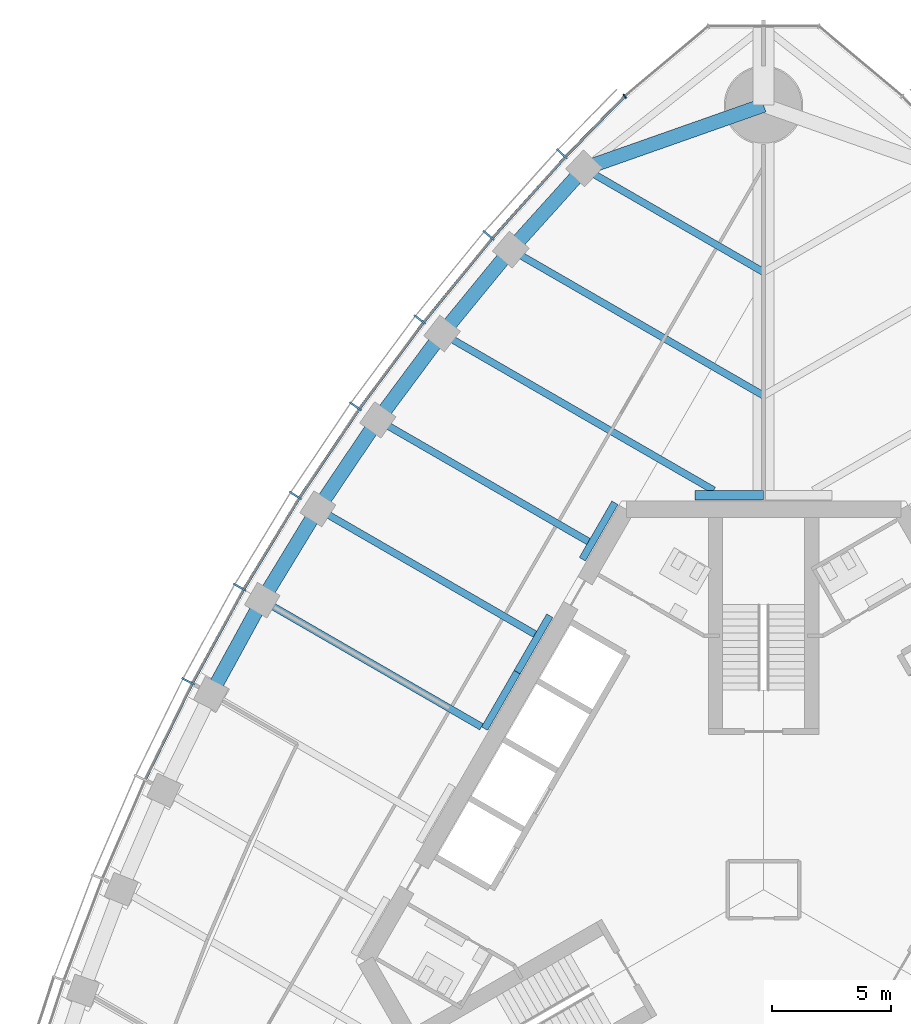
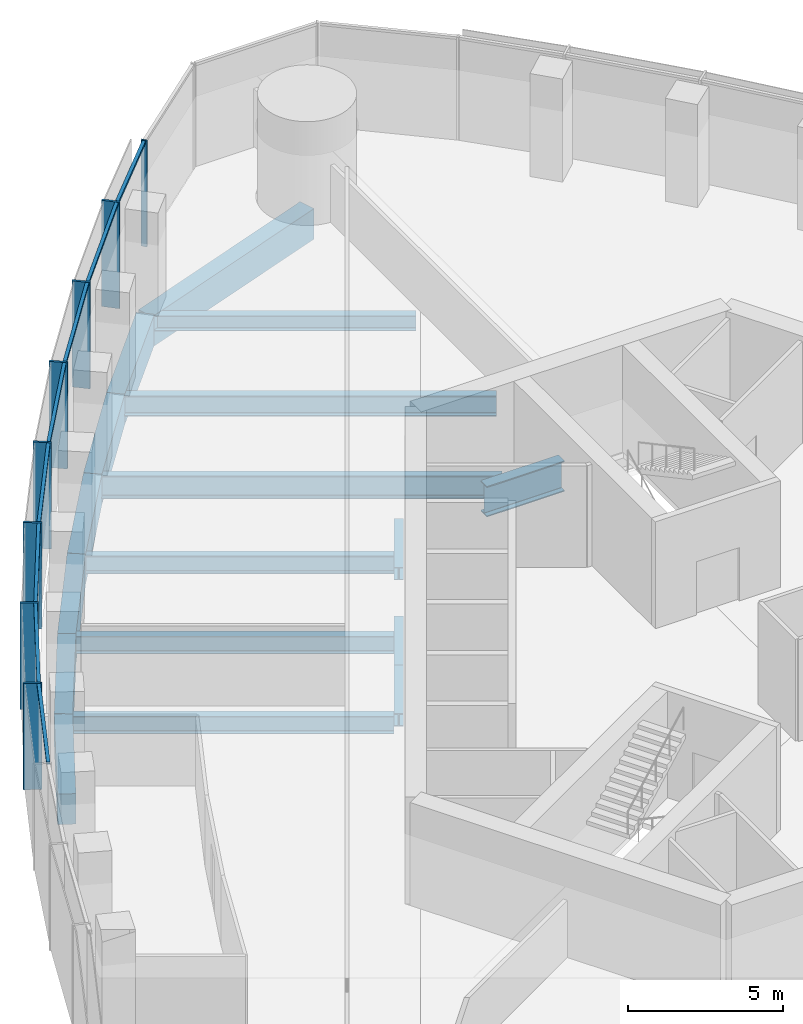
# One storey, part 5 of 19: 17 beams, 16 members, 2 elements without a shape of their own.
"""IFC4 building model written with IfcOpenShell, lengths in metres."""

from ifc_helpers import new_model, si_unit, direction, frame, origin, origin_2d, place, context, subcontext, project, spatial, rectangle, i_section, extrude, material, material_profile, profile_set, type_object, element, aggregate, save


model = new_model("IFC4")

# Units and contexts
model_context = context("Model", 3, precision=1e-05, world=origin(), true_north=direction((0.0, 1.0)))
body_context = subcontext(model_context, "Body", "Model", "MODEL_VIEW")
ifc_project = project(units=[si_unit("LENGTHUNIT", "METRE"), si_unit("AREAUNIT", "SQUARE_METRE"), si_unit("VOLUMEUNIT", "CUBIC_METRE"), si_unit("PLANEANGLEUNIT", "RADIAN"), si_unit("MASSUNIT", "GRAM", prefix="KILO")], contexts=[model_context])

# Site, building, storey
site_placement = place(None, origin())
site = spatial("IfcSite", under=ifc_project, at=site_placement, CompositionType="ELEMENT")
building_placement = place(site_placement, origin())
building = spatial("IfcBuilding", under=site, at=building_placement, Name="Trefoil Bronze Tower", CompositionType="ELEMENT")
storey_placement = place(building_placement, frame((0.0, 0.0, 223.300048828125)))
storey = spatial("IfcBuildingStorey", under=building, at=storey_placement, Name="L51", CompositionType="ELEMENT", Elevation=223.300048828125)

# Curtain wall, members
ifc_material_1 = material(Name="Tinted solar-control glass", Category="glass")
curtain_wall_type_1 = type_object("IfcCurtainWallType", Name="Bronze office curtain wall", PredefinedType="USERDEFINED", material=ifc_material_1)
curtain_wall_1_placement = place(storey_placement, origin())
curtain_wall_1 = element("IfcCurtainWall", 1, at=curtain_wall_1_placement, inside=storey, type_object=curtain_wall_type_1, Name="CW-A L51 F3", ObjectType="CURTAIN WALL", PredefinedType="USERDEFINED")
ifc_material_2 = material(Name="Bronze-finish aluminium", Category="aluminium")
ifc_material_profile_1 = material_profile(ifc_material_2, rectangle(XDim=0.60009765625, YDim=0.080078125, at=origin_2d()), Name="CW-A mullion")
ifc_profile_set_1 = profile_set([ifc_material_profile_1], Name="Bronze-finish aluminium")
member_type_1 = type_object("IfcMemberType", Name="Bronze office curtain wall mullion", PredefinedType="MULLION", material=ifc_profile_set_1)
member_1_placement = place(storey_placement, frame((-8.482177734375, 30.95654296875, 0.0), z_axis=(0.0, 0.0, 1.0), x_axis=(0.729859580661, -0.683597098091, 0.0)))
member_1 = element("IfcMember", 2, at=member_1_placement, type_object=member_type_1, Name="CW-A L51 F3 mullion 2", PredefinedType="MULLION", context=body_context, shape_type="SweptSolid", body=[
    extrude(rectangle(XDim=0.60009765625, YDim=0.080078125, at=origin_2d()), origin(), (0.0, 0.0, 1.0), 4.179931640625),
])
member_2_placement = place(storey_placement, frame((-11.564697265625, 27.525146484375, 0.0), z_axis=(0.0, 0.0, 1.0), x_axis=(0.75935470958, -0.650676897576, 0.0)))
member_2 = element("IfcMember", 3, at=member_2_placement, type_object=member_type_1, Name="CW-A L51 F3 mullion 3", PredefinedType="MULLION", context=body_context, shape_type="SweptSolid", body=[
    extrude(rectangle(XDim=0.60009765625, YDim=0.080078125, at=origin_2d()), origin(), (0.0, 0.0, 1.0), 4.179931640625),
])
member_3_placement = place(storey_placement, frame((-14.45849609375, 23.98388671875, 0.0), z_axis=(0.0, 0.0, 1.0), x_axis=(0.788821461078, -0.614622406476, 0.0)))
member_3 = element("IfcMember", 4, at=member_3_placement, type_object=member_type_1, Name="CW-A L51 F3 mullion 4", PredefinedType="MULLION", context=body_context, shape_type="SweptSolid", body=[
    extrude(rectangle(XDim=0.60009765625, YDim=0.080078125, at=origin_2d()), origin(), (0.0, 0.0, 1.0), 4.179931640625),
])
member_4_placement = place(storey_placement, frame((-17.167236328125, 20.335693359375, 0.0), z_axis=(0.0, 0.0, 1.0), x_axis=(0.81640398396, -0.577481198806, 0.0)))
member_4 = element("IfcMember", 5, at=member_4_placement, type_object=member_type_1, Name="CW-A L51 F3 mullion 5", PredefinedType="MULLION", context=body_context, shape_type="SweptSolid", body=[
    extrude(rectangle(XDim=0.60009765625, YDim=0.080078125, at=origin_2d()), origin(), (0.0, 0.0, 1.0), 4.179931640625),
])
member_5_placement = place(storey_placement, frame((-19.694091796875, 16.58251953125, 0.0), z_axis=(0.0, 0.0, 1.0), x_axis=(0.842132664593, -0.539270410114, 0.0)))
member_5 = element("IfcMember", 6, at=member_5_placement, type_object=member_type_1, Name="CW-A L51 F3 mullion 6", PredefinedType="MULLION", context=body_context, shape_type="SweptSolid", body=[
    extrude(rectangle(XDim=0.60009765625, YDim=0.080078125, at=origin_2d()), origin(), (0.0, 0.0, 1.0), 4.179931640625),
])
member_6_placement = place(storey_placement, frame((-22.041015625, 12.725341796875, 0.0), z_axis=(0.0, 0.0, 1.0), x_axis=(0.866025403784, -0.5, 0.0)))
member_6 = element("IfcMember", 7, at=member_6_placement, type_object=member_type_1, Name="CW-A L51 F3 mullion 7", PredefinedType="MULLION", context=body_context, shape_type="SweptSolid", body=[
    extrude(rectangle(XDim=0.60009765625, YDim=0.080078125, at=origin_2d()), origin(), (0.0, 0.0, 1.0), 4.179931640625),
])
member_7_placement = place(storey_placement, frame((-24.2080078125, 8.764404296875, 0.0), z_axis=(0.0, 0.0, 1.0), x_axis=(0.888088206965, -0.459673075837, 0.0)))
member_7 = element("IfcMember", 8, at=member_7_placement, type_object=member_type_1, Name="CW-A L51 F3 mullion 8", PredefinedType="MULLION", context=body_context, shape_type="SweptSolid", body=[
    extrude(rectangle(XDim=0.60009765625, YDim=0.080078125, at=origin_2d()), origin(), (0.0, 0.0, 1.0), 4.179931640625),
])
ifc_material_3 = material(Name="Bronze-finish aluminium", Category="aluminium")
ifc_material_profile_2 = material_profile(ifc_material_3, rectangle(XDim=0.1201171875, YDim=0.10009765625, at=origin_2d()), Name="CW-A transom")
ifc_profile_set_2 = profile_set([ifc_material_profile_2], Name="Bronze-finish aluminium")
member_type_2 = type_object("IfcMemberType", Name="Bronze office curtain wall transom", PredefinedType="USERDEFINED", material=ifc_profile_set_2)
member_8_placement = place(storey_placement, frame((-5.873046875, 33.342529296875, 4.1298828125), z_axis=(-0.698646935368, -0.715466602785, 0.0), x_axis=(0.715466602785, -0.698646935368, 0.0)))
member_8 = element("IfcMember", 9, at=member_8_placement, type_object=member_type_2, Name="CW-A L51 F3 transom 1", ObjectType="TRANSOM", PredefinedType="USERDEFINED", context=body_context, shape_type="SweptSolid", body=[
    extrude(rectangle(XDim=0.1201171875, YDim=0.10009765625, at=origin_2d()), origin(), (0.0, 0.0, 1.0), 3.483642578125),
])
member_9_placement = place(storey_placement, frame((-8.364501953125, 30.78857421875, 4.1298828125), z_axis=(-0.66825109551, -0.743935799213, 0.0), x_axis=(0.743935799213, -0.66825109551, 0.0)))
member_9 = element("IfcMember", 10, at=member_9_placement, type_object=member_type_2, Name="CW-A L51 F3 transom 2", ObjectType="TRANSOM", PredefinedType="USERDEFINED", context=body_context, shape_type="SweptSolid", body=[
    extrude(rectangle(XDim=0.1201171875, YDim=0.10009765625, at=origin_2d()), origin(), (0.0, 0.0, 1.0), 4.519287109375),
])
member_10_placement = place(storey_placement, frame((-11.439453125, 27.3623046875, 4.1298828125), z_axis=(-0.632756871921, -0.774350528531, 0.0), x_axis=(0.774350528531, -0.632756871921, 0.0)))
member_10 = element("IfcMember", 11, at=member_10_placement, type_object=member_type_2, Name="CW-A L51 F3 transom 3", ObjectType="TRANSOM", PredefinedType="USERDEFINED", context=body_context, shape_type="SweptSolid", body=[
    extrude(rectangle(XDim=0.1201171875, YDim=0.10009765625, at=origin_2d()), origin(), (0.0, 0.0, 1.0), 4.4794921875),
])
member_11_placement = place(storey_placement, frame((-14.325927734375, 23.826904296875, 4.1298828125), z_axis=(-0.59614822717, -0.802874393191, 0.0), x_axis=(0.802874393191, -0.59614822717, 0.0)))
member_11 = element("IfcMember", 12, at=member_11_placement, type_object=member_type_2, Name="CW-A L51 F3 transom 4", ObjectType="TRANSOM", PredefinedType="USERDEFINED", context=body_context, shape_type="SweptSolid", body=[
    extrude(rectangle(XDim=0.1201171875, YDim=0.10009765625, at=origin_2d()), origin(), (0.0, 0.0, 1.0), 4.449951171875),
])
member_12_placement = place(storey_placement, frame((-17.027587890625, 20.18505859375, 4.1298828125), z_axis=(-0.558509087547, -0.829498402125, 0.0), x_axis=(0.829498402125, -0.558509087547, 0.0)))
member_12 = element("IfcMember", 13, at=member_12_placement, type_object=member_type_2, Name="CW-A L51 F3 transom 5", ObjectType="TRANSOM", PredefinedType="USERDEFINED", context=body_context, shape_type="SweptSolid", body=[
    extrude(rectangle(XDim=0.1201171875, YDim=0.10009765625, at=origin_2d()), origin(), (0.0, 0.0, 1.0), 4.4306640625),
])
member_13_placement = place(storey_placement, frame((-19.5478515625, 16.4384765625, 4.1298828125), z_axis=(-0.519740214649, -0.854324358354, 0.0), x_axis=(0.854324358354, -0.519740214649, 0.0)))
member_13 = element("IfcMember", 14, at=member_13_placement, type_object=member_type_2, Name="CW-A L51 F3 transom 6", ObjectType="TRANSOM", PredefinedType="USERDEFINED", context=body_context, shape_type="SweptSolid", body=[
    extrude(rectangle(XDim=0.1201171875, YDim=0.10009765625, at=origin_2d()), origin(), (0.0, 0.0, 1.0), 4.421142578125),
])
member_14_placement = place(storey_placement, frame((-21.887939453125, 12.588134765625, 4.1298828125), z_axis=(-0.479973729071, -0.877282861683, 0.0), x_axis=(0.877282861683, -0.479973729071, 0.0)))
member_14 = element("IfcMember", 15, at=member_14_placement, type_object=member_type_2, Name="CW-A L51 F3 transom 7", ObjectType="TRANSOM", PredefinedType="USERDEFINED", context=body_context, shape_type="SweptSolid", body=[
    extrude(rectangle(XDim=0.1201171875, YDim=0.10009765625, at=origin_2d()), origin(), (0.0, 0.0, 1.0), 4.421142578125),
])
member_15_placement = place(storey_placement, frame((-24.048828125, 8.634521484375, 4.1298828125), z_axis=(-0.439150835991, -0.898413347657, 0.0), x_axis=(0.898413347657, -0.439150835991, 0.0)))
member_15 = element("IfcMember", 16, at=member_15_placement, type_object=member_type_2, Name="CW-A L51 F3 transom 8", ObjectType="TRANSOM", PredefinedType="USERDEFINED", context=body_context, shape_type="SweptSolid", body=[
    extrude(rectangle(XDim=0.1201171875, YDim=0.10009765625, at=origin_2d()), origin(), (0.0, 0.0, 1.0), 4.430908203125),
])
aggregate(curtain_wall_1, [member_1, member_2, member_3, member_4, member_5, member_6, member_7, member_8, member_9, member_10, member_11, member_12, member_13, member_14, member_15])

# Curtain wall, member
ifc_material_4 = material(Name="Tinted solar-control glass", Category="glass")
curtain_wall_type_2 = type_object("IfcCurtainWallType", Name="Bronze rounded corner curtain wall", PredefinedType="USERDEFINED", material=ifc_material_4)
curtain_wall_2_placement = place(storey_placement, origin())
curtain_wall_2 = element("IfcCurtainWall", 17, at=curtain_wall_2_placement, inside=storey, type_object=curtain_wall_type_2, Name="CW-B L51 K2", ObjectType="CURTAIN WALL", PredefinedType="USERDEFINED")
ifc_material_5 = material(Name="Bronze-finish aluminium", Category="aluminium")
ifc_material_profile_3 = material_profile(ifc_material_5, rectangle(XDim=0.199951171875, YDim=0.06005859375, at=origin_2d()), Name="CW-B mullion")
ifc_profile_set_3 = profile_set([ifc_material_profile_3], Name="Bronze-finish aluminium")
member_type_3 = type_object("IfcMemberType", Name="Bronze rounded corner curtain wall mullion", PredefinedType="MULLION", material=ifc_profile_set_3)
member_16_placement = place(storey_placement, frame((-5.837890625, 33.3779296875, 0.0), z_axis=(0.0, 0.0, 1.0), x_axis=(0.642787609687, -0.766044443119, 0.0)))
member_16 = element("IfcMember", 18, at=member_16_placement, type_object=member_type_3, Name="CW-B L51 K2 mullion 4", PredefinedType="MULLION", context=body_context, shape_type="SweptSolid", body=[
    extrude(rectangle(XDim=0.199951171875, YDim=0.06005859375, at=origin_2d()), origin(), (0.0, 0.0, 1.0), 4.179931640625),
])
aggregate(curtain_wall_2, [member_16])

# Beams
ifc_material_6 = material(Name="Steel C355", Category="steel")
ifc_material_profile_4 = material_profile(ifc_material_6, i_section(OverallWidth=0.300048828125, OverallDepth=0.5, WebThickness=0.014404296875, FlangeThickness=0.028076171875, FilletRadius=0.027099609375, at=origin_2d()), Name="HEB 500")
ifc_profile_set_4 = profile_set([ifc_material_profile_4], Name="Steel C355")
beam_type_1 = type_object("IfcBeamType", Name="Core seat beam HEB 500", PredefinedType="BEAM", material=ifc_profile_set_4)
for number, where, z_axis, x_axis, name in (
    (19, (-6.249755859375, 16.27490234375, -0.449951171875), (-0.500035825175, -0.866004719122, 0.0), (0.866004719122, -0.500035825175, 0.0), "Core seat beam F3/-2 L51"),
    (20, (-8.9921875, 11.52490234375, -0.449951171875), (-0.500035825175, -0.866004719122, 0.0), (0.866004719122, -0.500035825175, 0.0), "Core seat beam F3/-1 L51"),
    (21, (-10.363525390625, 9.14990234375, -0.449951171875), (-0.499969057507, -0.866043267704, 0.0), (0.866043267704, -0.499969057507, 0.0), "Core seat beam F3/+0 L51"),
):
    element("IfcBeam", number, at=place(storey_placement, frame(where, z_axis=z_axis, x_axis=x_axis)), inside=storey, type_object=beam_type_1, Name=name, PredefinedType="BEAM", context=body_context, shape_type="SweptSolid", body=[
        extrude(i_section(OverallWidth=0.300048828125, OverallDepth=0.5, WebThickness=0.014404296875, FlangeThickness=0.028076171875, FilletRadius=0.027099609375, at=origin_2d()), origin(), (0.0, 0.0, 1.0), 2.742431640625),
    ])
ifc_material_7 = material(Name="Steel C355", Category="steel")
ifc_material_profile_5 = material_profile(ifc_material_7, i_section(OverallWidth=0.39990234375, OverallDepth=1.199951171875, WebThickness=0.02001953125, FlangeThickness=0.0400390625, FilletRadius=0.010009765625, at=origin_2d()), Name="WPG 1200")
ifc_profile_set_5 = profile_set([ifc_material_profile_5], Name="Steel C355")
beam_type_2 = type_object("IfcBeamType", Name="Core seat beam WPG 1200", PredefinedType="BEAM", material=ifc_profile_set_5)
beam_1_placement = place(storey_placement, frame((0.0, 16.60009765625, -0.800048828125), z_axis=(-1.0, 0.0, 0.0), x_axis=(0.0, -1.0, 0.0)))
element("IfcBeam", 22, at=beam_1_placement, inside=storey, type_object=beam_type_2, Name="Core seat beam F3/-3 L51", PredefinedType="BEAM", context=body_context, shape_type="SweptSolid", body=[
    extrude(i_section(OverallWidth=0.39990234375, OverallDepth=1.199951171875, WebThickness=0.02001953125, FlangeThickness=0.0400390625, FilletRadius=0.010009765625, at=origin_2d()), origin(), (0.0, 0.0, 1.0), 2.88671875),
])
ifc_material_8 = material(Name="Concrete B80", Category="concrete")
ifc_material_profile_6 = material_profile(ifc_material_8, rectangle(XDim=0.60009765625, YDim=1.199951171875, at=origin_2d()), Name="RC 600x1200")
ifc_profile_set_6 = profile_set([ifc_material_profile_6], Name="Concrete B80")
beam_type_3 = type_object("IfcBeamType", Name="End spandrel beam RC 600x1200", PredefinedType="SPANDREL", material=ifc_profile_set_6)
beam_2_placement = place(storey_placement, frame((0.0, 33.0, -0.800048828125), z_axis=(-0.943234397359, -0.332127794137, 0.0), x_axis=(0.332127794137, -0.943234397359, 0.0)))
element("IfcBeam", 23, at=beam_2_placement, inside=storey, type_object=beam_type_3, Name="Spandrel F3.1 L51", PredefinedType="SPANDREL", context=body_context, shape_type="SweptSolid", body=[
    extrude(rectangle(XDim=0.60009765625, YDim=1.199951171875, at=origin_2d()), origin(), (0.0, 0.0, 1.0), 8.006591796875),
])
ifc_material_9 = material(Name="Steel C355", Category="steel")
ifc_material_profile_7 = material_profile(ifc_material_9, i_section(OverallWidth=0.300048828125, OverallDepth=0.590087890625, WebThickness=0.012939453125, FlangeThickness=0.02490234375, FilletRadius=0.027099609375, at=origin_2d()), Name="HEA 600")
ifc_profile_set_7 = profile_set([ifc_material_profile_7], Name="Steel C355")
beam_type_4 = type_object("IfcBeamType", Name="Floor beam HEA 600", PredefinedType="BEAM", material=ifc_profile_set_7)
beam_3_placement = place(storey_placement, frame((-7.552001953125, 30.3408203125, -0.4951171875), z_axis=(0.866027535932, -0.499996306993, 0.0), x_axis=(0.499996306993, 0.866027535932, 0.0)))
element("IfcBeam", 24, at=beam_3_placement, inside=storey, type_object=beam_type_4, Name="Floor beam F3/-5 L51", PredefinedType="BEAM", context=body_context, shape_type="SweptSolid", body=[
    extrude(i_section(OverallWidth=0.300048828125, OverallDepth=0.590087890625, WebThickness=0.012939453125, FlangeThickness=0.02490234375, FilletRadius=0.027099609375, at=origin_2d()), origin(), (0.0, 0.0, 1.0), 8.72021484375),
])
ifc_material_10 = material(Name="Steel C355", Category="steel")
ifc_material_profile_8 = material_profile(ifc_material_10, i_section(OverallWidth=0.300048828125, OverallDepth=0.699951171875, WebThickness=0.01708984375, FlangeThickness=0.031982421875, FilletRadius=0.027099609375, at=origin_2d()), Name="HEB 700")
ifc_profile_set_8 = profile_set([ifc_material_profile_8], Name="Steel C355")
beam_type_5 = type_object("IfcBeamType", Name="Floor beam HEB 700", PredefinedType="BEAM", material=ifc_profile_set_8)
beam_4_placement = place(storey_placement, frame((-16.2265625, 19.7607421875, -0.550048828125), z_axis=(0.866027856548, -0.499995751665, 0.0), x_axis=(0.499995751665, 0.866027856548, 0.0)))
element("IfcBeam", 25, at=beam_4_placement, inside=storey, type_object=beam_type_5, Name="Floor beam F3/-2 L51", PredefinedType="BEAM", context=body_context, shape_type="SweptSolid", body=[
    extrude(i_section(OverallWidth=0.300048828125, OverallDepth=0.699951171875, WebThickness=0.01708984375, FlangeThickness=0.031982421875, FilletRadius=0.027099609375, at=origin_2d()), origin(), (0.0, 0.0, 1.0), 10.23291015625),
])
beam_5_placement = place(storey_placement, frame((-18.748046875, 16.020263671875, -0.550048828125), z_axis=(0.866027918957, -0.499995643569, 0.0), x_axis=(0.499995643569, 0.866027918957, 0.0)))
element("IfcBeam", 26, at=beam_5_placement, inside=storey, type_object=beam_type_5, Name="Floor beam F3/-1 L51", PredefinedType="BEAM", context=body_context, shape_type="SweptSolid", body=[
    extrude(i_section(OverallWidth=0.300048828125, OverallDepth=0.699951171875, WebThickness=0.01708984375, FlangeThickness=0.031982421875, FilletRadius=0.027099609375, at=origin_2d()), origin(), (0.0, 0.0, 1.0), 10.54638671875),
])
beam_6_placement = place(storey_placement, frame((-21.08837890625, 12.17529296875, -0.550048828125), z_axis=(0.866034044198, -0.499985034066, 0.0), x_axis=(0.499985034066, 0.866034044198, 0.0)))
element("IfcBeam", 27, at=beam_6_placement, inside=storey, type_object=beam_type_5, Name="Floor beam F3/+0 L51", PredefinedType="BEAM", context=body_context, shape_type="SweptSolid", body=[
    extrude(i_section(OverallWidth=0.300048828125, OverallDepth=0.699951171875, WebThickness=0.01708984375, FlangeThickness=0.031982421875, FilletRadius=0.027099609375, at=origin_2d()), origin(), (0.0, 0.0, 1.0), 10.650634765625),
])
ifc_material_11 = material(Name="Steel C355", Category="steel")
ifc_material_profile_9 = material_profile(ifc_material_11, i_section(OverallWidth=0.300048828125, OverallDepth=0.800048828125, WebThickness=0.017578125, FlangeThickness=0.032958984375, FilletRadius=0.030029296875, at=origin_2d()), Name="HEB 800")
ifc_profile_set_9 = profile_set([ifc_material_profile_9], Name="Steel C355")
beam_type_6 = type_object("IfcBeamType", Name="Floor beam HEB 800", PredefinedType="BEAM", material=ifc_profile_set_9)
beam_7_placement = place(storey_placement, frame((-10.632080078125, 26.923095703125, -0.60009765625), z_axis=(0.866025635187, -0.499999599199, 0.0), x_axis=(0.499999599199, 0.866025635187, 0.0)))
element("IfcBeam", 28, at=beam_7_placement, inside=storey, type_object=beam_type_6, Name="Floor beam F3/-4 L51", PredefinedType="BEAM", context=body_context, shape_type="SweptSolid", body=[
    extrude(i_section(OverallWidth=0.300048828125, OverallDepth=0.800048828125, WebThickness=0.017578125, FlangeThickness=0.032958984375, FilletRadius=0.030029296875, at=origin_2d()), origin(), (0.0, 0.0, 1.0), 12.27685546875),
])
ifc_material_12 = material(Name="Steel C355", Category="steel")
ifc_material_profile_10 = material_profile(ifc_material_12, i_section(OverallWidth=0.300048828125, OverallDepth=0.89990234375, WebThickness=0.0185546875, FlangeThickness=0.034912109375, FilletRadius=0.030029296875, at=origin_2d()), Name="HEB 900")
ifc_profile_set_10 = profile_set([ifc_material_profile_10], Name="Steel C355")
beam_type_7 = type_object("IfcBeamType", Name="Floor beam HEB 900", PredefinedType="BEAM", material=ifc_profile_set_10)
beam_8_placement = place(storey_placement, frame((-13.522216796875, 23.3955078125, -0.650146484375), z_axis=(0.866028399451, -0.499994811317, 0.0), x_axis=(0.499994811317, 0.866028399451, 0.0)))
element("IfcBeam", 29, at=beam_8_placement, inside=storey, type_object=beam_type_7, Name="Floor beam F3/-3 L51", PredefinedType="BEAM", context=body_context, shape_type="SweptSolid", body=[
    extrude(i_section(OverallWidth=0.300048828125, OverallDepth=0.89990234375, WebThickness=0.0185546875, FlangeThickness=0.034912109375, FilletRadius=0.030029296875, at=origin_2d()), origin(), (0.0, 0.0, 1.0), 13.191162109375),
])
ifc_material_13 = material(Name="Concrete B80", Category="concrete")
ifc_material_profile_11 = material_profile(ifc_material_13, rectangle(XDim=0.60009765625, YDim=1.199951171875, at=origin_2d()), Name="RC 600x1200")
ifc_profile_set_11 = profile_set([ifc_material_profile_11], Name="Concrete B80")
beam_type_8 = type_object("IfcBeamType", Name="Spandrel beam RC 600x1200", PredefinedType="SPANDREL", material=ifc_profile_set_11)
beam_9_placement = place(storey_placement, frame((-7.552001953125, 30.3408203125, -0.800048828125), z_axis=(-0.669460045872, -0.742848064534, 0.0), x_axis=(0.742848064534, -0.669460045872, 0.0)))
element("IfcBeam", 30, at=beam_9_placement, inside=storey, type_object=beam_type_8, Name="Spandrel F3.2 L51", PredefinedType="SPANDREL", context=body_context, shape_type="SweptSolid", body=[
    extrude(rectangle(XDim=0.60009765625, YDim=1.199951171875, at=origin_2d()), origin(), (0.0, 0.0, 1.0), 4.600830078125),
])
beam_10_placement = place(storey_placement, frame((-10.632080078125, 26.923095703125, -0.800048828125), z_axis=(-0.633753657863, -0.773534938542, 0.0), x_axis=(0.773534938542, -0.633753657863, 0.0)))
element("IfcBeam", 31, at=beam_10_placement, inside=storey, type_object=beam_type_8, Name="Spandrel F3.3 L51", PredefinedType="SPANDREL", context=body_context, shape_type="SweptSolid", body=[
    extrude(rectangle(XDim=0.60009765625, YDim=1.199951171875, at=origin_2d()), origin(), (0.0, 0.0, 1.0), 4.560302734375),
])
beam_11_placement = place(storey_placement, frame((-13.522216796875, 23.3955078125, -0.800048828125), z_axis=(-0.596926078257, -0.802296240236, 0.0), x_axis=(0.802296240236, -0.596926078257, 0.0)))
element("IfcBeam", 32, at=beam_11_placement, inside=storey, type_object=beam_type_8, Name="Spandrel F3.4 L51", PredefinedType="SPANDREL", context=body_context, shape_type="SweptSolid", body=[
    extrude(rectangle(XDim=0.60009765625, YDim=1.199951171875, at=origin_2d()), origin(), (0.0, 0.0, 1.0), 4.530517578125),
])
beam_12_placement = place(storey_placement, frame((-16.2265625, 19.7607421875, -0.800048828125), z_axis=(-0.558964302753, -0.829191719838, 0.0), x_axis=(0.829191719838, -0.558964302753, 0.0)))
element("IfcBeam", 33, at=beam_12_placement, inside=storey, type_object=beam_type_8, Name="Spandrel F3.5 L51", PredefinedType="SPANDREL", context=body_context, shape_type="SweptSolid", body=[
    extrude(rectangle(XDim=0.60009765625, YDim=1.199951171875, at=origin_2d()), origin(), (0.0, 0.0, 1.0), 4.510986328125),
])
for number, where, z_axis, x_axis, name in (
    (34, (-18.748046875, 16.020263671875, -0.800048828125), (-0.519933181394, -0.854206934464, 0.0), (0.854206934464, -0.519933181394, 0.0), "Spandrel F3.6 L51"),
    (35, (-21.08837890625, 12.17529296875, -0.800048828125), (-0.479801903802, -0.87737684783, 0.0), (0.87737684783, -0.479801903802, 0.0), "Spandrel F3.7 L51"),
):
    element("IfcBeam", number, at=place(storey_placement, frame(where, z_axis=z_axis, x_axis=x_axis)), inside=storey, type_object=beam_type_8, Name=name, PredefinedType="SPANDREL", context=body_context, shape_type="SweptSolid", body=[
        extrude(rectangle(XDim=0.60009765625, YDim=1.199951171875, at=origin_2d()), origin(), (0.0, 0.0, 1.0), 4.501220703125),
    ])

save(model, "model.ifc")
